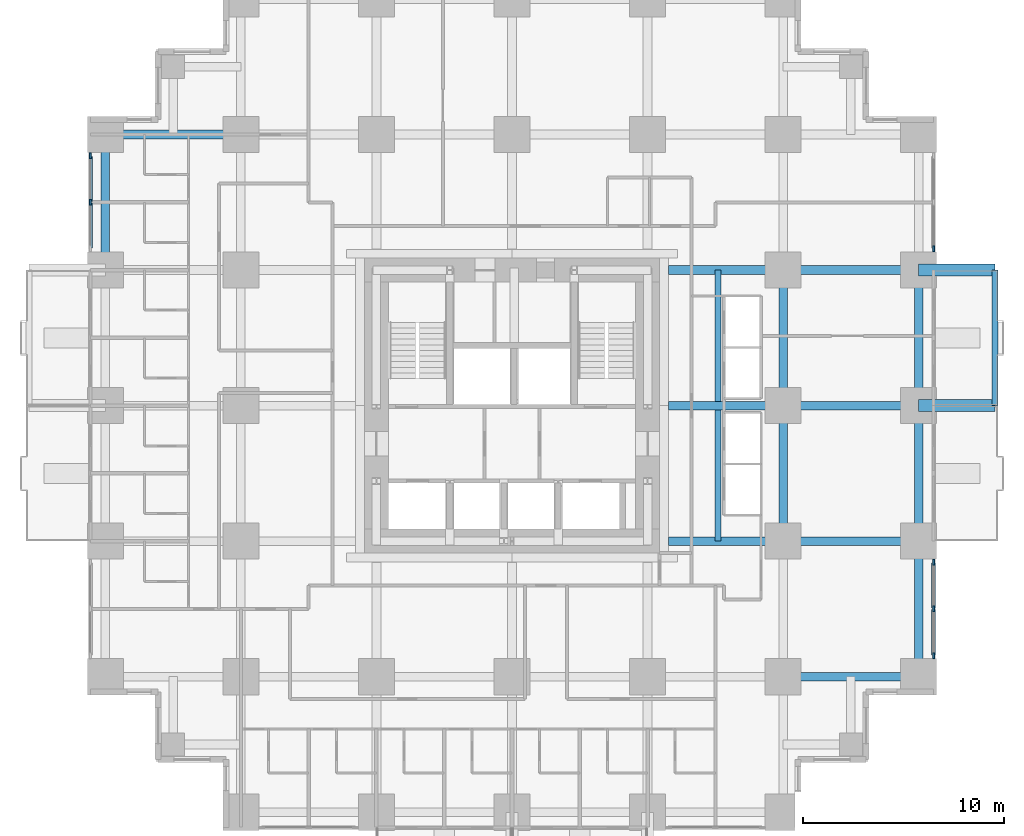
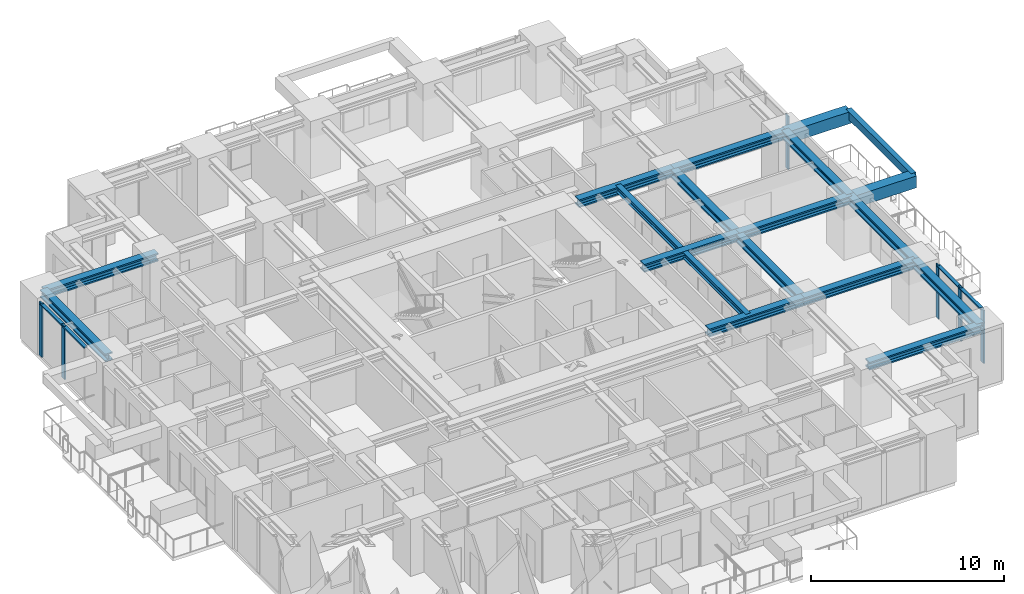
# One storey, part 3 of 13: 19 beams, 10 members, 3 elements without a shape of their own.
"""IFC4 building model written with IfcOpenShell, lengths in metres."""

from ifc_helpers import new_model, si_unit, direction, frame, origin, origin_2d, place, context, subcontext, project, spatial, rectangle, i_section, extrude, material, material_profile, profile_set, type_object, element, aggregate, save


model = new_model("IFC4")

# Units and contexts
model_context = context("Model", 3, precision=1e-05, world=origin(), true_north=direction((0.0, 1.0)))
body_context = subcontext(model_context, "Body", "Model", "MODEL_VIEW")
ifc_project = project(units=[si_unit("LENGTHUNIT", "METRE"), si_unit("AREAUNIT", "SQUARE_METRE"), si_unit("VOLUMEUNIT", "CUBIC_METRE"), si_unit("PLANEANGLEUNIT", "RADIAN"), si_unit("MASSUNIT", "GRAM", prefix="KILO")], contexts=[model_context])

# Site, building, storey
site_placement = place(None, origin())
site = spatial("IfcSite", under=ifc_project, at=site_placement, CompositionType="ELEMENT")
building_placement = place(site_placement, origin())
building = spatial("IfcBuilding", under=site, at=building_placement, Name="Nyansa Garden Tower", CompositionType="ELEMENT")
storey_placement = place(building_placement, frame((0.0, 0.0, 46.800048828125)))
storey = spatial("IfcBuildingStorey", under=building, at=storey_placement, Name="L12", CompositionType="ELEMENT", Elevation=46.800048828125)

# Beams
ifc_material_1 = material(Name="Concrete C70/85", Category="concrete")
ifc_material_profile_1 = material_profile(ifc_material_1, rectangle(XDim=0.60009765625, YDim=0.75, at=origin_2d()), Name="RC 600x750")
ifc_profile_set_1 = profile_set([ifc_material_profile_1], Name="Concrete C70/85")
beam_type_1 = type_object("IfcBeamType", Name="Balcony cantilever beam CB1 RC 600x750", PredefinedType="BEAM", material=ifc_profile_set_1)
for number, where, z_axis, x_axis, name in (
    (1, (40.5, 20.25, 2.98486328125), (1.0, 0.0, 0.0), (0.0, 1.0, 0.0), "Balcony cantilever beam L13"),
    (2, (40.5, 27.0, 2.98486328125), (1.0, 0.0, 0.0), (0.0, 1.0, 0.0), "Balcony cantilever beam L13"),
):
    element("IfcBeam", number, at=place(storey_placement, frame(where, z_axis=z_axis, x_axis=x_axis)), inside=storey, type_object=beam_type_1, Name=name, PredefinedType="BEAM", context=body_context, shape_type="SweptSolid", body=[
        extrude(rectangle(XDim=0.60009765625, YDim=0.75, at=origin_2d()), origin(), (0.0, 0.0, 1.0), 3.800048828125),
    ])
ifc_material_2 = material(Name="Concrete C70/85", Category="concrete")
ifc_material_profile_2 = material_profile(ifc_material_2, rectangle(XDim=0.300048828125, YDim=0.5, at=origin_2d()), Name="RC 300x500")
ifc_profile_set_2 = profile_set([ifc_material_profile_2], Name="Concrete C70/85")
beam_type_2 = type_object("IfcBeamType", Name="Balcony edge beam BE1 RC 300x500", PredefinedType="BEAM", material=ifc_profile_set_2)
beam_1_placement = place(storey_placement, frame((44.300048828125, 20.25, 3.10986328125), z_axis=(0.0, 1.0, 0.0), x_axis=(-1.0, 0.0, 0.0)))
element("IfcBeam", 3, at=beam_1_placement, inside=storey, type_object=beam_type_2, Name="Balcony edge beam L13", PredefinedType="BEAM", context=body_context, shape_type="SweptSolid", body=[
    extrude(rectangle(XDim=0.300048828125, YDim=0.5, at=origin_2d()), origin(), (0.0, 0.0, 1.0), 6.75),
])

# Curtain wall, members
ifc_material_3 = material(Name="Black anodised aluminium, dark tinted double glazing", Category="aluminium")
curtain_wall_type = type_object("IfcCurtainWallType", Name="Sky lounge curtain wall SLW", PredefinedType="USERDEFINED", material=ifc_material_3)
curtain_wall_1_placement = place(storey_placement, origin())
curtain_wall_1 = element("IfcCurtainWall", 4, at=curtain_wall_1_placement, inside=storey, type_object=curtain_wall_type, Name="Inner skin curtain wall L12 E", ObjectType="UNITISED CURTAIN WALL", PredefinedType="USERDEFINED")
ifc_material_4 = material(Name="Black anodised aluminium", Category="aluminium")
ifc_material_profile_3 = material_profile(ifc_material_4, rectangle(XDim=0.080078125, YDim=0.300048828125, at=origin_2d()), Name="Mullion 300x80")
ifc_profile_set_3 = profile_set([ifc_material_profile_3], Name="Black anodised aluminium")
member_type_1 = type_object("IfcMemberType", Name="Mullion SLW 300x80", PredefinedType="MULLION", material=ifc_profile_set_3)
member_1_placement = place(storey_placement, frame((41.25, 7.800048828125, 0.0), z_axis=(0.0, 0.0, 1.0), x_axis=(-1.0, 0.0, 0.0)))
member_1 = element("IfcMember", 5, at=member_1_placement, type_object=member_type_1, Name="SLW mullion 1", PredefinedType="MULLION", context=body_context, shape_type="SweptSolid", body=[
    extrude(rectangle(XDim=0.080078125, YDim=0.300048828125, at=origin_2d()), origin(), (0.0, 0.0, 1.0), 3.375),
])
member_2_placement = place(storey_placement, frame((41.25, 10.125, 0.0), z_axis=(0.0, 0.0, 1.0), x_axis=(-1.0, 0.0, 0.0)))
member_2 = element("IfcMember", 6, at=member_2_placement, type_object=member_type_1, Name="SLW mullion 2", PredefinedType="MULLION", context=body_context, shape_type="SweptSolid", body=[
    extrude(rectangle(XDim=0.080078125, YDim=0.300048828125, at=origin_2d()), origin(), (0.0, 0.0, 1.0), 3.375),
])
member_3_placement = place(storey_placement, frame((41.25, 12.449951171875, 0.0), z_axis=(0.0, 0.0, 1.0), x_axis=(-1.0, 0.0, 0.0)))
member_3 = element("IfcMember", 7, at=member_3_placement, type_object=member_type_1, Name="SLW mullion 3", PredefinedType="MULLION", context=body_context, shape_type="SweptSolid", body=[
    extrude(rectangle(XDim=0.080078125, YDim=0.300048828125, at=origin_2d()), origin(), (0.0, 0.0, 1.0), 3.375),
])

# Curtain wall, member
curtain_wall_2_placement = place(storey_placement, origin())
curtain_wall_2 = element("IfcCurtainWall", 8, at=curtain_wall_2_placement, inside=storey, type_object=curtain_wall_type, Name="Inner skin curtain wall L12 E", ObjectType="UNITISED CURTAIN WALL", PredefinedType="USERDEFINED")
member_4_placement = place(storey_placement, frame((41.25, 28.050048828125, 0.0), z_axis=(0.0, 0.0, 1.0), x_axis=(-1.0, 0.0, 0.0)))
member_4 = element("IfcMember", 9, at=member_4_placement, type_object=member_type_1, Name="SLW mullion 1", PredefinedType="MULLION", context=body_context, shape_type="SweptSolid", body=[
    extrude(rectangle(XDim=0.080078125, YDim=0.300048828125, at=origin_2d()), origin(), (0.0, 0.0, 1.0), 3.375),
])
aggregate(curtain_wall_2, [member_4])

# Curtain wall, members
curtain_wall_3_placement = place(storey_placement, origin())
curtain_wall_3 = element("IfcCurtainWall", 10, at=curtain_wall_3_placement, inside=storey, type_object=curtain_wall_type, Name="Inner skin curtain wall L12 W", ObjectType="UNITISED CURTAIN WALL", PredefinedType="USERDEFINED")
member_5_placement = place(storey_placement, frame((-0.75, 32.699951171875, 0.0), z_axis=(0.0, 0.0, 1.0), x_axis=(1.0, 0.0, 0.0)))
member_5 = element("IfcMember", 11, at=member_5_placement, type_object=member_type_1, Name="SLW mullion 1", PredefinedType="MULLION", context=body_context, shape_type="SweptSolid", body=[
    extrude(rectangle(XDim=0.080078125, YDim=0.300048828125, at=origin_2d()), origin(), (0.0, 0.0, 1.0), 3.375),
])
member_6_placement = place(storey_placement, frame((-0.75, 30.375, 0.0), z_axis=(0.0, 0.0, 1.0), x_axis=(1.0, 0.0, 0.0)))
member_6 = element("IfcMember", 12, at=member_6_placement, type_object=member_type_1, Name="SLW mullion 2", PredefinedType="MULLION", context=body_context, shape_type="SweptSolid", body=[
    extrude(rectangle(XDim=0.080078125, YDim=0.300048828125, at=origin_2d()), origin(), (0.0, 0.0, 1.0), 3.375),
])

# Beams
ifc_material_5 = material(Name="Steel S355", Category="steel")
ifc_material_profile_4 = material_profile(ifc_material_5, i_section(OverallWidth=0.431884765625, OverallDepth=0.498046875, WebThickness=0.0556640625, FlangeThickness=0.0888671875, FilletRadius=0.014892578125, at=origin_2d()), Name="HD 400x744")
ifc_profile_set_4 = profile_set([ifc_material_profile_4], Name="Steel S355")
beam_type_3 = type_object("IfcBeamType", Name="Steel beam SBA1-744 HD 400x744", PredefinedType="BEAM", material=ifc_profile_set_4)
beam_2_placement = place(storey_placement, frame((0.0, 33.75, 3.1259765625), z_axis=(1.0, 0.0, 0.0), x_axis=(0.0, 1.0, 0.0)))
element("IfcBeam", 13, at=beam_2_placement, inside=storey, type_object=beam_type_3, Name="Steel beam 2/J-3/J L13", PredefinedType="BEAM", context=body_context, shape_type="SweptSolid", body=[
    extrude(i_section(OverallWidth=0.431884765625, OverallDepth=0.498046875, WebThickness=0.0556640625, FlangeThickness=0.0888671875, FilletRadius=0.014892578125, at=origin_2d()), origin(), (0.0, 0.0, 1.0), 6.75),
])
for number, where, z_axis, x_axis, name in (
    (14, (28.050048828125, 13.5, 3.1259765625), (1.0, 0.0, 0.0), (0.0, 1.0, 0.0), "Steel beam 28.050/F-7/F L13"),
    (15, (28.050048828125, 20.25, 3.1259765625), (1.0, 0.0, 0.0), (0.0, 1.0, 0.0), "Steel beam 28.050/G-7/G L13"),
    (16, (28.050048828125, 27.0, 3.1259765625), (1.0, 0.0, 0.0), (0.0, 1.0, 0.0), "Steel beam 28.050/H-7/H L13"),
):
    element("IfcBeam", number, at=place(storey_placement, frame(where, z_axis=z_axis, x_axis=x_axis)), inside=storey, type_object=beam_type_3, Name=name, PredefinedType="BEAM", context=body_context, shape_type="SweptSolid", body=[
        extrude(i_section(OverallWidth=0.431884765625, OverallDepth=0.498046875, WebThickness=0.0556640625, FlangeThickness=0.0888671875, FilletRadius=0.014892578125, at=origin_2d()), origin(), (0.0, 0.0, 1.0), 5.699951171875),
    ])
for number, where, z_axis, x_axis, name in (
    (17, (33.75, 6.75, 3.1259765625), (1.0, 0.0, 0.0), (0.0, 1.0, 0.0), "Steel beam 7/E-8/E L13"),
    (18, (33.75, 13.5, 3.1259765625), (0.0, 1.0, 0.0), (-1.0, 0.0, 0.0), "Steel beam 7/F-7/G L13"),
    (19, (33.75, 13.5, 3.1259765625), (1.0, 0.0, 0.0), (0.0, 1.0, 0.0), "Steel beam 7/F-8/F L13"),
    (20, (33.75, 20.25, 3.1259765625), (0.0, 1.0, 0.0), (-1.0, 0.0, 0.0), "Steel beam 7/G-7/H L13"),
    (21, (33.75, 20.25, 3.1259765625), (1.0, 0.0, 0.0), (0.0, 1.0, 0.0), "Steel beam 7/G-8/G L13"),
    (22, (33.75, 27.0, 3.1259765625), (1.0, 0.0, 0.0), (0.0, 1.0, 0.0), "Steel beam 7/H-8/H L13"),
):
    element("IfcBeam", number, at=place(storey_placement, frame(where, z_axis=z_axis, x_axis=x_axis)), inside=storey, type_object=beam_type_3, Name=name, PredefinedType="BEAM", context=body_context, shape_type="SweptSolid", body=[
        extrude(i_section(OverallWidth=0.431884765625, OverallDepth=0.498046875, WebThickness=0.0556640625, FlangeThickness=0.0888671875, FilletRadius=0.014892578125, at=origin_2d()), origin(), (0.0, 0.0, 1.0), 6.75),
    ])
ifc_material_6 = material(Name="Steel S355", Category="steel")
ifc_material_profile_5 = material_profile(ifc_material_6, i_section(OverallWidth=0.431884765625, OverallDepth=0.498046875, WebThickness=0.0556640625, FlangeThickness=0.0888671875, FilletRadius=0.014892578125, at=origin_2d()), Name="HD 400x744")
ifc_profile_set_5 = profile_set([ifc_material_profile_5], Name="Steel S355")
beam_type_4 = type_object("IfcBeamType", Name="Steel beam SEBA-744 HD 400x744", PredefinedType="BEAM", material=ifc_profile_set_5)
for number, where, z_axis, x_axis, name in (
    (23, (0.0, 27.0, 3.1259765625), (0.0, 1.0, 0.0), (-1.0, 0.0, 0.0), "Steel edge beam 2/H-2/J L13"),
    (24, (40.5, 6.75, 3.1259765625), (0.0, 1.0, 0.0), (-1.0, 0.0, 0.0), "Steel edge beam 8/E-8/F L13"),
    (25, (40.5, 13.5, 3.1259765625), (0.0, 1.0, 0.0), (-1.0, 0.0, 0.0), "Steel edge beam 8/F-8/G L13"),
    (26, (40.5, 20.25, 3.1259765625), (0.0, 1.0, 0.0), (-1.0, 0.0, 0.0), "Steel edge beam 8/G-8/H L13"),
):
    element("IfcBeam", number, at=place(storey_placement, frame(where, z_axis=z_axis, x_axis=x_axis)), inside=storey, type_object=beam_type_4, Name=name, PredefinedType="BEAM", context=body_context, shape_type="SweptSolid", body=[
        extrude(i_section(OverallWidth=0.431884765625, OverallDepth=0.498046875, WebThickness=0.0556640625, FlangeThickness=0.0888671875, FilletRadius=0.014892578125, at=origin_2d()), origin(), (0.0, 0.0, 1.0), 6.75),
    ])

# Member
ifc_material_7 = material(Name="Black anodised aluminium", Category="aluminium")
ifc_material_profile_6 = material_profile(ifc_material_7, rectangle(XDim=0.199951171875, YDim=0.080078125, at=origin_2d()), Name="Transom 200x80")
ifc_profile_set_6 = profile_set([ifc_material_profile_6], Name="Black anodised aluminium")
member_type_2 = type_object("IfcMemberType", Name="Transom SLW 200x80", PredefinedType="USERDEFINED", material=ifc_profile_set_6)
member_7_placement = place(storey_placement, frame((41.25, 7.840087890625, 3.3349609375), z_axis=(0.0, 1.0, 0.0), x_axis=(-1.0, 0.0, 0.0)))
member_7 = element("IfcMember", 27, at=member_7_placement, type_object=member_type_2, Name="SLW transom 1", ObjectType="TRANSOM", PredefinedType="USERDEFINED", context=body_context, shape_type="SweptSolid", body=[
    extrude(rectangle(XDim=0.199951171875, YDim=0.080078125, at=origin_2d()), origin(), (0.0, 0.0, 1.0), 2.244873046875),
])

member_8_placement = place(storey_placement, frame((41.25, 10.1650390625, 3.3349609375), z_axis=(0.0, 1.0, 0.0), x_axis=(-1.0, 0.0, 0.0)))
member_8 = element("IfcMember", 28, at=member_8_placement, type_object=member_type_2, Name="SLW transom 2", ObjectType="TRANSOM", PredefinedType="USERDEFINED", context=body_context, shape_type="SweptSolid", body=[
    extrude(rectangle(XDim=0.199951171875, YDim=0.080078125, at=origin_2d()), origin(), (0.0, 0.0, 1.0), 2.244873046875),
])

aggregate(curtain_wall_1, [member_1, member_2, member_3, member_7, member_8])

member_9_placement = place(storey_placement, frame((-0.75, 32.659912109375, 3.3349609375), z_axis=(0.0, -1.0, 0.0), x_axis=(1.0, 0.0, 0.0)))
member_9 = element("IfcMember", 29, at=member_9_placement, type_object=member_type_2, Name="SLW transom 1", ObjectType="TRANSOM", PredefinedType="USERDEFINED", context=body_context, shape_type="SweptSolid", body=[
    extrude(rectangle(XDim=0.199951171875, YDim=0.080078125, at=origin_2d()), origin(), (0.0, 0.0, 1.0), 2.244873046875),
])

member_10_placement = place(storey_placement, frame((-0.75, 30.3349609375, 3.3349609375), z_axis=(0.0, -1.0, 0.0), x_axis=(1.0, 0.0, 0.0)))
member_10 = element("IfcMember", 30, at=member_10_placement, type_object=member_type_2, Name="SLW transom 2", ObjectType="TRANSOM", PredefinedType="USERDEFINED", context=body_context, shape_type="SweptSolid", body=[
    extrude(rectangle(XDim=0.199951171875, YDim=0.080078125, at=origin_2d()), origin(), (0.0, 0.0, 1.0), 2.244873046875),
])

aggregate(curtain_wall_3, [member_5, member_6, member_9, member_10])

# Beams
ifc_material_8 = material(Name="Steel S355", Category="steel")
ifc_material_profile_7 = material_profile(ifc_material_8, i_section(OverallWidth=0.300048828125, OverallDepth=0.39990234375, WebThickness=0.013427734375, FlangeThickness=0.02392578125, FilletRadius=0.027099609375, at=origin_2d()), Name="HE 400 B")
ifc_profile_set_7 = profile_set([ifc_material_profile_7], Name="Steel S355")
beam_type_5 = type_object("IfcBeamType", Name="Trimmer beam TR1 HE 400 B", PredefinedType="BEAM", material=ifc_profile_set_7)
for number, where, z_axis, x_axis, name in (
    (31, (30.5, 13.5, 3.175048828125), (0.0, 1.0, 0.0), (-1.0, 0.0, 0.0), "Trimmer beam 1 L13"),
    (32, (30.5, 20.466064453125, 3.175048828125), (0.0, 1.0, 0.0), (-1.0, 0.0, 0.0), "Trimmer beam 2 L13"),
):
    element("IfcBeam", number, at=place(storey_placement, frame(where, z_axis=z_axis, x_axis=x_axis)), inside=storey, type_object=beam_type_5, Name=name, PredefinedType="BEAM", context=body_context, shape_type="SweptSolid", body=[
        extrude(i_section(OverallWidth=0.300048828125, OverallDepth=0.39990234375, WebThickness=0.013427734375, FlangeThickness=0.02392578125, FilletRadius=0.027099609375, at=origin_2d()), origin(), (0.0, 0.0, 1.0), 6.533935546875),
    ])

save(model, "model.ifc")
